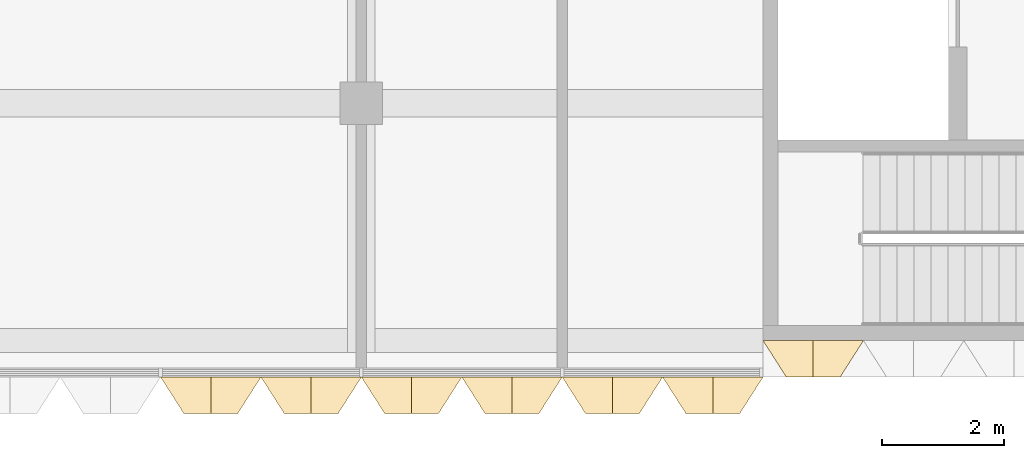
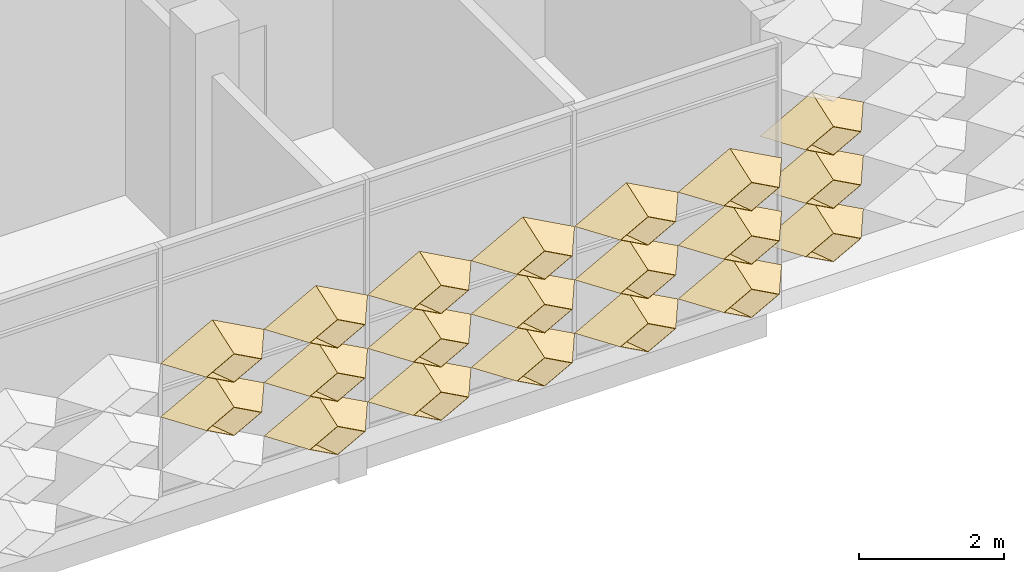
# One storey, part 38 of 61: 20 coverings.
"""IFC4 building model written with IfcOpenShell, lengths in metres."""

from ifc_helpers import new_model, entity, si_unit, direction, frame, origin, place, context, subcontext, project, spatial, material, layer, layer_set, type_object, element, save


model = new_model("IFC4")

# Units and contexts
model_context = context("Model", 3, precision=1e-05, world=origin(), true_north=direction((0.0, 1.0)))
body_context = subcontext(model_context, "Body", "Model", "MODEL_VIEW")
ifc_project = project(units=[si_unit("LENGTHUNIT", "METRE"), si_unit("AREAUNIT", "SQUARE_METRE"), si_unit("VOLUMEUNIT", "CUBIC_METRE"), si_unit("PLANEANGLEUNIT", "RADIAN"), si_unit("MASSUNIT", "GRAM", prefix="KILO")], contexts=[model_context])

# Site, building, storey
site_placement = place(None, origin())
site = spatial("IfcSite", under=ifc_project, at=site_placement, CompositionType="ELEMENT")
building_placement = place(site_placement, origin())
building = spatial("IfcBuilding", under=site, at=building_placement, Name="Lantern Court Research Institute", CompositionType="ELEMENT")
storey_placement = place(building_placement, frame((0.0, 0.0, 23.39990234375)))
storey = spatial("IfcBuildingStorey", under=building, at=storey_placement, Name="L05", CompositionType="ELEMENT", Elevation=23.39990234375)

# Coverings
ifc_material = material(Name="Anodised aluminium", Category="aluminium")
ifc_layer = layer(ifc_material, 0.01611328125)
ifc_layer_set = layer_set([ifc_layer], Name="Anodised aluminium")
covering_type = type_object("IfcCoveringType", Name="Fin cassette 1650 x 900 x 600 aluminium", PredefinedType="CLADDING", material=ifc_layer_set)
covering_1_placement = place(storey_placement, frame((45.375, -8.39990234375, 0.4501953125), z_axis=(0.0, -1.0, 0.0), x_axis=(1.0, 0.0, 0.0)))
cartesian_point_1 = entity("IfcCartesianPoint", [0.824951171875, 0.0])
cartesian_point_2 = entity("IfcCartesianPoint", [0.79150390625, 0.0])
cartesian_point_3 = entity("IfcCartesianPoint", [0.44189453125, 0.0])
cartesian_point_4 = entity("IfcCartesianPoint", [0.43359375, 0.0])
element("IfcCovering", 1, at=covering_1_placement, inside=storey, type_object=covering_type, Name="Fin cassette V4S-L05 1.28", PredefinedType="CLADDING", context=body_context, shape_type="SweptSolid", body=[
    entity("IfcExtrudedAreaSolidTapered", entity("IfcArbitraryProfileDefWithVoids", "AREA", None, entity("IfcPolyline", [cartesian_point_1, entity("IfcCartesianPoint", [0.0, 0.449951171875]), entity("IfcCartesianPoint", [-0.824951171875, 0.0]), entity("IfcCartesianPoint", [0.0, -0.449951171875]), cartesian_point_1]), [entity("IfcPolyline", [cartesian_point_2, entity("IfcCartesianPoint", [0.0, 0.431884765625]), entity("IfcCartesianPoint", [-0.79150390625, 0.0]), entity("IfcCartesianPoint", [0.0, -0.431884765625]), cartesian_point_2])]), entity("IfcAxis2Placement3D", entity("IfcCartesianPoint", [0.0, 0.0, 0.0])), entity("IfcDirection", [0.0, 0.0, 1.0]), 0.60009765625, entity("IfcArbitraryProfileDefWithVoids", "AREA", None, entity("IfcPolyline", [cartesian_point_3, entity("IfcCartesianPoint", [0.0, 0.240966796875]), entity("IfcCartesianPoint", [-0.44189453125, 0.0]), entity("IfcCartesianPoint", [0.0, -0.240966796875]), cartesian_point_3]), [entity("IfcPolyline", [cartesian_point_4, entity("IfcCartesianPoint", [0.0, 0.236572265625]), entity("IfcCartesianPoint", [-0.43359375, 0.0]), entity("IfcCartesianPoint", [0.0, -0.236572265625]), cartesian_point_4])])),
])
covering_2_placement = place(storey_placement, frame((47.02490234375, -8.39990234375, 0.4501953125), z_axis=(0.0, -1.0, 0.0), x_axis=(1.0, 0.0, 0.0)))
cartesian_point_5 = entity("IfcCartesianPoint", [0.824951171875, 0.0])
cartesian_point_6 = entity("IfcCartesianPoint", [0.79150390625, 0.0])
cartesian_point_7 = entity("IfcCartesianPoint", [0.44189453125, 0.0])
cartesian_point_8 = entity("IfcCartesianPoint", [0.43359375, 0.0])
element("IfcCovering", 2, at=covering_2_placement, inside=storey, type_object=covering_type, Name="Fin cassette V4S-L05 1.29", PredefinedType="CLADDING", context=body_context, shape_type="SweptSolid", body=[
    entity("IfcExtrudedAreaSolidTapered", entity("IfcArbitraryProfileDefWithVoids", "AREA", None, entity("IfcPolyline", [cartesian_point_5, entity("IfcCartesianPoint", [0.0, 0.449951171875]), entity("IfcCartesianPoint", [-0.824951171875, 0.0]), entity("IfcCartesianPoint", [0.0, -0.449951171875]), cartesian_point_5]), [entity("IfcPolyline", [cartesian_point_6, entity("IfcCartesianPoint", [0.0, 0.431884765625]), entity("IfcCartesianPoint", [-0.79150390625, 0.0]), entity("IfcCartesianPoint", [0.0, -0.431884765625]), cartesian_point_6])]), entity("IfcAxis2Placement3D", entity("IfcCartesianPoint", [0.0, 0.0, 0.0])), entity("IfcDirection", [0.0, 0.0, 1.0]), 0.60009765625, entity("IfcArbitraryProfileDefWithVoids", "AREA", None, entity("IfcPolyline", [cartesian_point_7, entity("IfcCartesianPoint", [0.0, 0.240966796875]), entity("IfcCartesianPoint", [-0.44189453125, 0.0]), entity("IfcCartesianPoint", [0.0, -0.240966796875]), cartesian_point_7]), [entity("IfcPolyline", [cartesian_point_8, entity("IfcCartesianPoint", [0.0, 0.236572265625]), entity("IfcCartesianPoint", [-0.43359375, 0.0]), entity("IfcCartesianPoint", [0.0, -0.236572265625]), cartesian_point_8])])),
])
covering_3_placement = place(storey_placement, frame((48.675048828125, -8.39990234375, 0.4501953125), z_axis=(0.0, -1.0, 0.0), x_axis=(1.0, 0.0, 0.0)))
cartesian_point_9 = entity("IfcCartesianPoint", [0.824951171875, 0.0])
cartesian_point_10 = entity("IfcCartesianPoint", [0.79150390625, 0.0])
cartesian_point_11 = entity("IfcCartesianPoint", [0.44189453125, 0.0])
cartesian_point_12 = entity("IfcCartesianPoint", [0.43359375, 0.0])
element("IfcCovering", 3, at=covering_3_placement, inside=storey, type_object=covering_type, Name="Fin cassette V4S-L05 1.30", PredefinedType="CLADDING", context=body_context, shape_type="SweptSolid", body=[
    entity("IfcExtrudedAreaSolidTapered", entity("IfcArbitraryProfileDefWithVoids", "AREA", None, entity("IfcPolyline", [cartesian_point_9, entity("IfcCartesianPoint", [0.0, 0.449951171875]), entity("IfcCartesianPoint", [-0.824951171875, 0.0]), entity("IfcCartesianPoint", [0.0, -0.449951171875]), cartesian_point_9]), [entity("IfcPolyline", [cartesian_point_10, entity("IfcCartesianPoint", [0.0, 0.431884765625]), entity("IfcCartesianPoint", [-0.79150390625, 0.0]), entity("IfcCartesianPoint", [0.0, -0.431884765625]), cartesian_point_10])]), entity("IfcAxis2Placement3D", entity("IfcCartesianPoint", [0.0, 0.0, 0.0])), entity("IfcDirection", [0.0, 0.0, 1.0]), 0.60009765625, entity("IfcArbitraryProfileDefWithVoids", "AREA", None, entity("IfcPolyline", [cartesian_point_11, entity("IfcCartesianPoint", [0.0, 0.240966796875]), entity("IfcCartesianPoint", [-0.44189453125, 0.0]), entity("IfcCartesianPoint", [0.0, -0.240966796875]), cartesian_point_11]), [entity("IfcPolyline", [cartesian_point_12, entity("IfcCartesianPoint", [0.0, 0.236572265625]), entity("IfcCartesianPoint", [-0.43359375, 0.0]), entity("IfcCartesianPoint", [0.0, -0.236572265625]), cartesian_point_12])])),
])
covering_4_placement = place(storey_placement, frame((50.324951171875, -8.39990234375, 0.4501953125), z_axis=(0.0, -1.0, 0.0), x_axis=(1.0, 0.0, 0.0)))
cartesian_point_13 = entity("IfcCartesianPoint", [0.824951171875, 0.0])
cartesian_point_14 = entity("IfcCartesianPoint", [0.79150390625, 0.0])
cartesian_point_15 = entity("IfcCartesianPoint", [0.44189453125, 0.0])
cartesian_point_16 = entity("IfcCartesianPoint", [0.43359375, 0.0])
element("IfcCovering", 4, at=covering_4_placement, inside=storey, type_object=covering_type, Name="Fin cassette V4S-L05 1.31", PredefinedType="CLADDING", context=body_context, shape_type="SweptSolid", body=[
    entity("IfcExtrudedAreaSolidTapered", entity("IfcArbitraryProfileDefWithVoids", "AREA", None, entity("IfcPolyline", [cartesian_point_13, entity("IfcCartesianPoint", [0.0, 0.449951171875]), entity("IfcCartesianPoint", [-0.824951171875, 0.0]), entity("IfcCartesianPoint", [0.0, -0.449951171875]), cartesian_point_13]), [entity("IfcPolyline", [cartesian_point_14, entity("IfcCartesianPoint", [0.0, 0.431884765625]), entity("IfcCartesianPoint", [-0.79150390625, 0.0]), entity("IfcCartesianPoint", [0.0, -0.431884765625]), cartesian_point_14])]), entity("IfcAxis2Placement3D", entity("IfcCartesianPoint", [0.0, 0.0, 0.0])), entity("IfcDirection", [0.0, 0.0, 1.0]), 0.60009765625, entity("IfcArbitraryProfileDefWithVoids", "AREA", None, entity("IfcPolyline", [cartesian_point_15, entity("IfcCartesianPoint", [0.0, 0.240966796875]), entity("IfcCartesianPoint", [-0.44189453125, 0.0]), entity("IfcCartesianPoint", [0.0, -0.240966796875]), cartesian_point_15]), [entity("IfcPolyline", [cartesian_point_16, entity("IfcCartesianPoint", [0.0, 0.236572265625]), entity("IfcCartesianPoint", [-0.43359375, 0.0]), entity("IfcCartesianPoint", [0.0, -0.236572265625]), cartesian_point_16])])),
])
covering_5_placement = place(storey_placement, frame((51.97509765625, -8.39990234375, 0.4501953125), z_axis=(0.0, -1.0, 0.0), x_axis=(1.0, 0.0, 0.0)))
cartesian_point_17 = entity("IfcCartesianPoint", [0.824951171875, 0.0])
cartesian_point_18 = entity("IfcCartesianPoint", [0.79150390625, 0.0])
cartesian_point_19 = entity("IfcCartesianPoint", [0.44189453125, 0.0])
cartesian_point_20 = entity("IfcCartesianPoint", [0.43359375, 0.0])
element("IfcCovering", 5, at=covering_5_placement, inside=storey, type_object=covering_type, Name="Fin cassette V4S-L05 1.32", PredefinedType="CLADDING", context=body_context, shape_type="SweptSolid", body=[
    entity("IfcExtrudedAreaSolidTapered", entity("IfcArbitraryProfileDefWithVoids", "AREA", None, entity("IfcPolyline", [cartesian_point_17, entity("IfcCartesianPoint", [0.0, 0.449951171875]), entity("IfcCartesianPoint", [-0.824951171875, 0.0]), entity("IfcCartesianPoint", [0.0, -0.449951171875]), cartesian_point_17]), [entity("IfcPolyline", [cartesian_point_18, entity("IfcCartesianPoint", [0.0, 0.431884765625]), entity("IfcCartesianPoint", [-0.79150390625, 0.0]), entity("IfcCartesianPoint", [0.0, -0.431884765625]), cartesian_point_18])]), entity("IfcAxis2Placement3D", entity("IfcCartesianPoint", [0.0, 0.0, 0.0])), entity("IfcDirection", [0.0, 0.0, 1.0]), 0.60009765625, entity("IfcArbitraryProfileDefWithVoids", "AREA", None, entity("IfcPolyline", [cartesian_point_19, entity("IfcCartesianPoint", [0.0, 0.240966796875]), entity("IfcCartesianPoint", [-0.44189453125, 0.0]), entity("IfcCartesianPoint", [0.0, -0.240966796875]), cartesian_point_19]), [entity("IfcPolyline", [cartesian_point_20, entity("IfcCartesianPoint", [0.0, 0.236572265625]), entity("IfcCartesianPoint", [-0.43359375, 0.0]), entity("IfcCartesianPoint", [0.0, -0.236572265625]), cartesian_point_20])])),
])
covering_6_placement = place(storey_placement, frame((43.72509765625, -8.39990234375, 1.35009765625), z_axis=(0.0, -1.0, 0.0), x_axis=(1.0, 0.0, 0.0)))
cartesian_point_21 = entity("IfcCartesianPoint", [0.824951171875, 0.0])
cartesian_point_22 = entity("IfcCartesianPoint", [0.79150390625, 0.0])
cartesian_point_23 = entity("IfcCartesianPoint", [0.44189453125, 0.0])
cartesian_point_24 = entity("IfcCartesianPoint", [0.43359375, 0.0])
element("IfcCovering", 6, at=covering_6_placement, inside=storey, type_object=covering_type, Name="Fin cassette V4S-L05 2.27", PredefinedType="CLADDING", context=body_context, shape_type="SweptSolid", body=[
    entity("IfcExtrudedAreaSolidTapered", entity("IfcArbitraryProfileDefWithVoids", "AREA", None, entity("IfcPolyline", [cartesian_point_21, entity("IfcCartesianPoint", [0.0, 0.449951171875]), entity("IfcCartesianPoint", [-0.824951171875, 0.0]), entity("IfcCartesianPoint", [0.0, -0.449951171875]), cartesian_point_21]), [entity("IfcPolyline", [cartesian_point_22, entity("IfcCartesianPoint", [0.0, 0.431884765625]), entity("IfcCartesianPoint", [-0.79150390625, 0.0]), entity("IfcCartesianPoint", [0.0, -0.431884765625]), cartesian_point_22])]), entity("IfcAxis2Placement3D", entity("IfcCartesianPoint", [0.0, 0.0, 0.0])), entity("IfcDirection", [0.0, 0.0, 1.0]), 0.60009765625, entity("IfcArbitraryProfileDefWithVoids", "AREA", None, entity("IfcPolyline", [cartesian_point_23, entity("IfcCartesianPoint", [0.0, 0.240966796875]), entity("IfcCartesianPoint", [-0.44189453125, 0.0]), entity("IfcCartesianPoint", [0.0, -0.240966796875]), cartesian_point_23]), [entity("IfcPolyline", [cartesian_point_24, entity("IfcCartesianPoint", [0.0, 0.236572265625]), entity("IfcCartesianPoint", [-0.43359375, 0.0]), entity("IfcCartesianPoint", [0.0, -0.236572265625]), cartesian_point_24])])),
])
covering_7_placement = place(storey_placement, frame((45.375, -8.39990234375, 1.35009765625), z_axis=(0.0, -1.0, 0.0), x_axis=(1.0, 0.0, 0.0)))
cartesian_point_25 = entity("IfcCartesianPoint", [0.824951171875, 0.0])
cartesian_point_26 = entity("IfcCartesianPoint", [0.79150390625, 0.0])
cartesian_point_27 = entity("IfcCartesianPoint", [0.44189453125, 0.0])
cartesian_point_28 = entity("IfcCartesianPoint", [0.43359375, 0.0])
element("IfcCovering", 7, at=covering_7_placement, inside=storey, type_object=covering_type, Name="Fin cassette V4S-L05 2.28", PredefinedType="CLADDING", context=body_context, shape_type="SweptSolid", body=[
    entity("IfcExtrudedAreaSolidTapered", entity("IfcArbitraryProfileDefWithVoids", "AREA", None, entity("IfcPolyline", [cartesian_point_25, entity("IfcCartesianPoint", [0.0, 0.449951171875]), entity("IfcCartesianPoint", [-0.824951171875, 0.0]), entity("IfcCartesianPoint", [0.0, -0.449951171875]), cartesian_point_25]), [entity("IfcPolyline", [cartesian_point_26, entity("IfcCartesianPoint", [0.0, 0.431884765625]), entity("IfcCartesianPoint", [-0.79150390625, 0.0]), entity("IfcCartesianPoint", [0.0, -0.431884765625]), cartesian_point_26])]), entity("IfcAxis2Placement3D", entity("IfcCartesianPoint", [0.0, 0.0, 0.0])), entity("IfcDirection", [0.0, 0.0, 1.0]), 0.60009765625, entity("IfcArbitraryProfileDefWithVoids", "AREA", None, entity("IfcPolyline", [cartesian_point_27, entity("IfcCartesianPoint", [0.0, 0.240966796875]), entity("IfcCartesianPoint", [-0.44189453125, 0.0]), entity("IfcCartesianPoint", [0.0, -0.240966796875]), cartesian_point_27]), [entity("IfcPolyline", [cartesian_point_28, entity("IfcCartesianPoint", [0.0, 0.236572265625]), entity("IfcCartesianPoint", [-0.43359375, 0.0]), entity("IfcCartesianPoint", [0.0, -0.236572265625]), cartesian_point_28])])),
])
covering_8_placement = place(storey_placement, frame((47.02490234375, -8.39990234375, 1.35009765625), z_axis=(0.0, -1.0, 0.0), x_axis=(1.0, 0.0, 0.0)))
cartesian_point_29 = entity("IfcCartesianPoint", [0.824951171875, 0.0])
cartesian_point_30 = entity("IfcCartesianPoint", [0.79150390625, 0.0])
cartesian_point_31 = entity("IfcCartesianPoint", [0.44189453125, 0.0])
cartesian_point_32 = entity("IfcCartesianPoint", [0.43359375, 0.0])
element("IfcCovering", 8, at=covering_8_placement, inside=storey, type_object=covering_type, Name="Fin cassette V4S-L05 2.29", PredefinedType="CLADDING", context=body_context, shape_type="SweptSolid", body=[
    entity("IfcExtrudedAreaSolidTapered", entity("IfcArbitraryProfileDefWithVoids", "AREA", None, entity("IfcPolyline", [cartesian_point_29, entity("IfcCartesianPoint", [0.0, 0.449951171875]), entity("IfcCartesianPoint", [-0.824951171875, 0.0]), entity("IfcCartesianPoint", [0.0, -0.449951171875]), cartesian_point_29]), [entity("IfcPolyline", [cartesian_point_30, entity("IfcCartesianPoint", [0.0, 0.431884765625]), entity("IfcCartesianPoint", [-0.79150390625, 0.0]), entity("IfcCartesianPoint", [0.0, -0.431884765625]), cartesian_point_30])]), entity("IfcAxis2Placement3D", entity("IfcCartesianPoint", [0.0, 0.0, 0.0])), entity("IfcDirection", [0.0, 0.0, 1.0]), 0.60009765625, entity("IfcArbitraryProfileDefWithVoids", "AREA", None, entity("IfcPolyline", [cartesian_point_31, entity("IfcCartesianPoint", [0.0, 0.240966796875]), entity("IfcCartesianPoint", [-0.44189453125, 0.0]), entity("IfcCartesianPoint", [0.0, -0.240966796875]), cartesian_point_31]), [entity("IfcPolyline", [cartesian_point_32, entity("IfcCartesianPoint", [0.0, 0.236572265625]), entity("IfcCartesianPoint", [-0.43359375, 0.0]), entity("IfcCartesianPoint", [0.0, -0.236572265625]), cartesian_point_32])])),
])
covering_9_placement = place(storey_placement, frame((48.675048828125, -8.39990234375, 1.35009765625), z_axis=(0.0, -1.0, 0.0), x_axis=(1.0, 0.0, 0.0)))
cartesian_point_33 = entity("IfcCartesianPoint", [0.824951171875, 0.0])
cartesian_point_34 = entity("IfcCartesianPoint", [0.79150390625, 0.0])
cartesian_point_35 = entity("IfcCartesianPoint", [0.44189453125, 0.0])
cartesian_point_36 = entity("IfcCartesianPoint", [0.43359375, 0.0])
element("IfcCovering", 9, at=covering_9_placement, inside=storey, type_object=covering_type, Name="Fin cassette V4S-L05 2.30", PredefinedType="CLADDING", context=body_context, shape_type="SweptSolid", body=[
    entity("IfcExtrudedAreaSolidTapered", entity("IfcArbitraryProfileDefWithVoids", "AREA", None, entity("IfcPolyline", [cartesian_point_33, entity("IfcCartesianPoint", [0.0, 0.449951171875]), entity("IfcCartesianPoint", [-0.824951171875, 0.0]), entity("IfcCartesianPoint", [0.0, -0.449951171875]), cartesian_point_33]), [entity("IfcPolyline", [cartesian_point_34, entity("IfcCartesianPoint", [0.0, 0.431884765625]), entity("IfcCartesianPoint", [-0.79150390625, 0.0]), entity("IfcCartesianPoint", [0.0, -0.431884765625]), cartesian_point_34])]), entity("IfcAxis2Placement3D", entity("IfcCartesianPoint", [0.0, 0.0, 0.0])), entity("IfcDirection", [0.0, 0.0, 1.0]), 0.60009765625, entity("IfcArbitraryProfileDefWithVoids", "AREA", None, entity("IfcPolyline", [cartesian_point_35, entity("IfcCartesianPoint", [0.0, 0.240966796875]), entity("IfcCartesianPoint", [-0.44189453125, 0.0]), entity("IfcCartesianPoint", [0.0, -0.240966796875]), cartesian_point_35]), [entity("IfcPolyline", [cartesian_point_36, entity("IfcCartesianPoint", [0.0, 0.236572265625]), entity("IfcCartesianPoint", [-0.43359375, 0.0]), entity("IfcCartesianPoint", [0.0, -0.236572265625]), cartesian_point_36])])),
])
covering_10_placement = place(storey_placement, frame((50.324951171875, -8.39990234375, 1.35009765625), z_axis=(0.0, -1.0, 0.0), x_axis=(1.0, 0.0, 0.0)))
cartesian_point_37 = entity("IfcCartesianPoint", [0.824951171875, 0.0])
cartesian_point_38 = entity("IfcCartesianPoint", [0.79150390625, 0.0])
cartesian_point_39 = entity("IfcCartesianPoint", [0.44189453125, 0.0])
cartesian_point_40 = entity("IfcCartesianPoint", [0.43359375, 0.0])
element("IfcCovering", 10, at=covering_10_placement, inside=storey, type_object=covering_type, Name="Fin cassette V4S-L05 2.31", PredefinedType="CLADDING", context=body_context, shape_type="SweptSolid", body=[
    entity("IfcExtrudedAreaSolidTapered", entity("IfcArbitraryProfileDefWithVoids", "AREA", None, entity("IfcPolyline", [cartesian_point_37, entity("IfcCartesianPoint", [0.0, 0.449951171875]), entity("IfcCartesianPoint", [-0.824951171875, 0.0]), entity("IfcCartesianPoint", [0.0, -0.449951171875]), cartesian_point_37]), [entity("IfcPolyline", [cartesian_point_38, entity("IfcCartesianPoint", [0.0, 0.431884765625]), entity("IfcCartesianPoint", [-0.79150390625, 0.0]), entity("IfcCartesianPoint", [0.0, -0.431884765625]), cartesian_point_38])]), entity("IfcAxis2Placement3D", entity("IfcCartesianPoint", [0.0, 0.0, 0.0])), entity("IfcDirection", [0.0, 0.0, 1.0]), 0.60009765625, entity("IfcArbitraryProfileDefWithVoids", "AREA", None, entity("IfcPolyline", [cartesian_point_39, entity("IfcCartesianPoint", [0.0, 0.240966796875]), entity("IfcCartesianPoint", [-0.44189453125, 0.0]), entity("IfcCartesianPoint", [0.0, -0.240966796875]), cartesian_point_39]), [entity("IfcPolyline", [cartesian_point_40, entity("IfcCartesianPoint", [0.0, 0.236572265625]), entity("IfcCartesianPoint", [-0.43359375, 0.0]), entity("IfcCartesianPoint", [0.0, -0.236572265625]), cartesian_point_40])])),
])
covering_11_placement = place(storey_placement, frame((51.97509765625, -8.39990234375, 1.35009765625), z_axis=(0.0, -1.0, 0.0), x_axis=(1.0, 0.0, 0.0)))
cartesian_point_41 = entity("IfcCartesianPoint", [0.824951171875, 0.0])
cartesian_point_42 = entity("IfcCartesianPoint", [0.79150390625, 0.0])
cartesian_point_43 = entity("IfcCartesianPoint", [0.44189453125, 0.0])
cartesian_point_44 = entity("IfcCartesianPoint", [0.43359375, 0.0])
element("IfcCovering", 11, at=covering_11_placement, inside=storey, type_object=covering_type, Name="Fin cassette V4S-L05 2.32", PredefinedType="CLADDING", context=body_context, shape_type="SweptSolid", body=[
    entity("IfcExtrudedAreaSolidTapered", entity("IfcArbitraryProfileDefWithVoids", "AREA", None, entity("IfcPolyline", [cartesian_point_41, entity("IfcCartesianPoint", [0.0, 0.449951171875]), entity("IfcCartesianPoint", [-0.824951171875, 0.0]), entity("IfcCartesianPoint", [0.0, -0.449951171875]), cartesian_point_41]), [entity("IfcPolyline", [cartesian_point_42, entity("IfcCartesianPoint", [0.0, 0.431884765625]), entity("IfcCartesianPoint", [-0.79150390625, 0.0]), entity("IfcCartesianPoint", [0.0, -0.431884765625]), cartesian_point_42])]), entity("IfcAxis2Placement3D", entity("IfcCartesianPoint", [0.0, 0.0, 0.0])), entity("IfcDirection", [0.0, 0.0, 1.0]), 0.60009765625, entity("IfcArbitraryProfileDefWithVoids", "AREA", None, entity("IfcPolyline", [cartesian_point_43, entity("IfcCartesianPoint", [0.0, 0.240966796875]), entity("IfcCartesianPoint", [-0.44189453125, 0.0]), entity("IfcCartesianPoint", [0.0, -0.240966796875]), cartesian_point_43]), [entity("IfcPolyline", [cartesian_point_44, entity("IfcCartesianPoint", [0.0, 0.236572265625]), entity("IfcCartesianPoint", [-0.43359375, 0.0]), entity("IfcCartesianPoint", [0.0, -0.236572265625]), cartesian_point_44])])),
])
covering_12_placement = place(storey_placement, frame((43.72509765625, -8.39990234375, 2.25), z_axis=(0.0, -1.0, 0.0), x_axis=(1.0, 0.0, 0.0)))
cartesian_point_45 = entity("IfcCartesianPoint", [0.824951171875, 0.0])
cartesian_point_46 = entity("IfcCartesianPoint", [0.79150390625, 0.0])
cartesian_point_47 = entity("IfcCartesianPoint", [0.44189453125, 0.0])
cartesian_point_48 = entity("IfcCartesianPoint", [0.43359375, 0.0])
element("IfcCovering", 12, at=covering_12_placement, inside=storey, type_object=covering_type, Name="Fin cassette V4S-L05 3.27", PredefinedType="CLADDING", context=body_context, shape_type="SweptSolid", body=[
    entity("IfcExtrudedAreaSolidTapered", entity("IfcArbitraryProfileDefWithVoids", "AREA", None, entity("IfcPolyline", [cartesian_point_45, entity("IfcCartesianPoint", [0.0, 0.449951171875]), entity("IfcCartesianPoint", [-0.824951171875, 0.0]), entity("IfcCartesianPoint", [0.0, -0.449951171875]), cartesian_point_45]), [entity("IfcPolyline", [cartesian_point_46, entity("IfcCartesianPoint", [0.0, 0.431884765625]), entity("IfcCartesianPoint", [-0.79150390625, 0.0]), entity("IfcCartesianPoint", [0.0, -0.431884765625]), cartesian_point_46])]), entity("IfcAxis2Placement3D", entity("IfcCartesianPoint", [0.0, 0.0, 0.0])), entity("IfcDirection", [0.0, 0.0, 1.0]), 0.60009765625, entity("IfcArbitraryProfileDefWithVoids", "AREA", None, entity("IfcPolyline", [cartesian_point_47, entity("IfcCartesianPoint", [0.0, 0.240966796875]), entity("IfcCartesianPoint", [-0.44189453125, 0.0]), entity("IfcCartesianPoint", [0.0, -0.240966796875]), cartesian_point_47]), [entity("IfcPolyline", [cartesian_point_48, entity("IfcCartesianPoint", [0.0, 0.236572265625]), entity("IfcCartesianPoint", [-0.43359375, 0.0]), entity("IfcCartesianPoint", [0.0, -0.236572265625]), cartesian_point_48])])),
])
covering_13_placement = place(storey_placement, frame((45.375, -8.39990234375, 2.25), z_axis=(0.0, -1.0, 0.0), x_axis=(1.0, 0.0, 0.0)))
cartesian_point_49 = entity("IfcCartesianPoint", [0.824951171875, 0.0])
cartesian_point_50 = entity("IfcCartesianPoint", [0.79150390625, 0.0])
cartesian_point_51 = entity("IfcCartesianPoint", [0.44189453125, 0.0])
cartesian_point_52 = entity("IfcCartesianPoint", [0.43359375, 0.0])
element("IfcCovering", 13, at=covering_13_placement, inside=storey, type_object=covering_type, Name="Fin cassette V4S-L05 3.28", PredefinedType="CLADDING", context=body_context, shape_type="SweptSolid", body=[
    entity("IfcExtrudedAreaSolidTapered", entity("IfcArbitraryProfileDefWithVoids", "AREA", None, entity("IfcPolyline", [cartesian_point_49, entity("IfcCartesianPoint", [0.0, 0.449951171875]), entity("IfcCartesianPoint", [-0.824951171875, 0.0]), entity("IfcCartesianPoint", [0.0, -0.449951171875]), cartesian_point_49]), [entity("IfcPolyline", [cartesian_point_50, entity("IfcCartesianPoint", [0.0, 0.431884765625]), entity("IfcCartesianPoint", [-0.79150390625, 0.0]), entity("IfcCartesianPoint", [0.0, -0.431884765625]), cartesian_point_50])]), entity("IfcAxis2Placement3D", entity("IfcCartesianPoint", [0.0, 0.0, 0.0])), entity("IfcDirection", [0.0, 0.0, 1.0]), 0.60009765625, entity("IfcArbitraryProfileDefWithVoids", "AREA", None, entity("IfcPolyline", [cartesian_point_51, entity("IfcCartesianPoint", [0.0, 0.240966796875]), entity("IfcCartesianPoint", [-0.44189453125, 0.0]), entity("IfcCartesianPoint", [0.0, -0.240966796875]), cartesian_point_51]), [entity("IfcPolyline", [cartesian_point_52, entity("IfcCartesianPoint", [0.0, 0.236572265625]), entity("IfcCartesianPoint", [-0.43359375, 0.0]), entity("IfcCartesianPoint", [0.0, -0.236572265625]), cartesian_point_52])])),
])
covering_14_placement = place(storey_placement, frame((47.02490234375, -8.39990234375, 2.25), z_axis=(0.0, -1.0, 0.0), x_axis=(1.0, 0.0, 0.0)))
cartesian_point_53 = entity("IfcCartesianPoint", [0.824951171875, 0.0])
cartesian_point_54 = entity("IfcCartesianPoint", [0.79150390625, 0.0])
cartesian_point_55 = entity("IfcCartesianPoint", [0.44189453125, 0.0])
cartesian_point_56 = entity("IfcCartesianPoint", [0.43359375, 0.0])
element("IfcCovering", 14, at=covering_14_placement, inside=storey, type_object=covering_type, Name="Fin cassette V4S-L05 3.29", PredefinedType="CLADDING", context=body_context, shape_type="SweptSolid", body=[
    entity("IfcExtrudedAreaSolidTapered", entity("IfcArbitraryProfileDefWithVoids", "AREA", None, entity("IfcPolyline", [cartesian_point_53, entity("IfcCartesianPoint", [0.0, 0.449951171875]), entity("IfcCartesianPoint", [-0.824951171875, 0.0]), entity("IfcCartesianPoint", [0.0, -0.449951171875]), cartesian_point_53]), [entity("IfcPolyline", [cartesian_point_54, entity("IfcCartesianPoint", [0.0, 0.431884765625]), entity("IfcCartesianPoint", [-0.79150390625, 0.0]), entity("IfcCartesianPoint", [0.0, -0.431884765625]), cartesian_point_54])]), entity("IfcAxis2Placement3D", entity("IfcCartesianPoint", [0.0, 0.0, 0.0])), entity("IfcDirection", [0.0, 0.0, 1.0]), 0.60009765625, entity("IfcArbitraryProfileDefWithVoids", "AREA", None, entity("IfcPolyline", [cartesian_point_55, entity("IfcCartesianPoint", [0.0, 0.240966796875]), entity("IfcCartesianPoint", [-0.44189453125, 0.0]), entity("IfcCartesianPoint", [0.0, -0.240966796875]), cartesian_point_55]), [entity("IfcPolyline", [cartesian_point_56, entity("IfcCartesianPoint", [0.0, 0.236572265625]), entity("IfcCartesianPoint", [-0.43359375, 0.0]), entity("IfcCartesianPoint", [0.0, -0.236572265625]), cartesian_point_56])])),
])
covering_15_placement = place(storey_placement, frame((48.675048828125, -8.39990234375, 2.25), z_axis=(0.0, -1.0, 0.0), x_axis=(1.0, 0.0, 0.0)))
cartesian_point_57 = entity("IfcCartesianPoint", [0.824951171875, 0.0])
cartesian_point_58 = entity("IfcCartesianPoint", [0.79150390625, 0.0])
cartesian_point_59 = entity("IfcCartesianPoint", [0.44189453125, 0.0])
cartesian_point_60 = entity("IfcCartesianPoint", [0.43359375, 0.0])
element("IfcCovering", 15, at=covering_15_placement, inside=storey, type_object=covering_type, Name="Fin cassette V4S-L05 3.30", PredefinedType="CLADDING", context=body_context, shape_type="SweptSolid", body=[
    entity("IfcExtrudedAreaSolidTapered", entity("IfcArbitraryProfileDefWithVoids", "AREA", None, entity("IfcPolyline", [cartesian_point_57, entity("IfcCartesianPoint", [0.0, 0.449951171875]), entity("IfcCartesianPoint", [-0.824951171875, 0.0]), entity("IfcCartesianPoint", [0.0, -0.449951171875]), cartesian_point_57]), [entity("IfcPolyline", [cartesian_point_58, entity("IfcCartesianPoint", [0.0, 0.431884765625]), entity("IfcCartesianPoint", [-0.79150390625, 0.0]), entity("IfcCartesianPoint", [0.0, -0.431884765625]), cartesian_point_58])]), entity("IfcAxis2Placement3D", entity("IfcCartesianPoint", [0.0, 0.0, 0.0])), entity("IfcDirection", [0.0, 0.0, 1.0]), 0.60009765625, entity("IfcArbitraryProfileDefWithVoids", "AREA", None, entity("IfcPolyline", [cartesian_point_59, entity("IfcCartesianPoint", [0.0, 0.240966796875]), entity("IfcCartesianPoint", [-0.44189453125, 0.0]), entity("IfcCartesianPoint", [0.0, -0.240966796875]), cartesian_point_59]), [entity("IfcPolyline", [cartesian_point_60, entity("IfcCartesianPoint", [0.0, 0.236572265625]), entity("IfcCartesianPoint", [-0.43359375, 0.0]), entity("IfcCartesianPoint", [0.0, -0.236572265625]), cartesian_point_60])])),
])
covering_16_placement = place(storey_placement, frame((50.324951171875, -8.39990234375, 2.25), z_axis=(0.0, -1.0, 0.0), x_axis=(1.0, 0.0, 0.0)))
cartesian_point_61 = entity("IfcCartesianPoint", [0.824951171875, 0.0])
cartesian_point_62 = entity("IfcCartesianPoint", [0.79150390625, 0.0])
cartesian_point_63 = entity("IfcCartesianPoint", [0.44189453125, 0.0])
cartesian_point_64 = entity("IfcCartesianPoint", [0.43359375, 0.0])
element("IfcCovering", 16, at=covering_16_placement, inside=storey, type_object=covering_type, Name="Fin cassette V4S-L05 3.31", PredefinedType="CLADDING", context=body_context, shape_type="SweptSolid", body=[
    entity("IfcExtrudedAreaSolidTapered", entity("IfcArbitraryProfileDefWithVoids", "AREA", None, entity("IfcPolyline", [cartesian_point_61, entity("IfcCartesianPoint", [0.0, 0.449951171875]), entity("IfcCartesianPoint", [-0.824951171875, 0.0]), entity("IfcCartesianPoint", [0.0, -0.449951171875]), cartesian_point_61]), [entity("IfcPolyline", [cartesian_point_62, entity("IfcCartesianPoint", [0.0, 0.431884765625]), entity("IfcCartesianPoint", [-0.79150390625, 0.0]), entity("IfcCartesianPoint", [0.0, -0.431884765625]), cartesian_point_62])]), entity("IfcAxis2Placement3D", entity("IfcCartesianPoint", [0.0, 0.0, 0.0])), entity("IfcDirection", [0.0, 0.0, 1.0]), 0.60009765625, entity("IfcArbitraryProfileDefWithVoids", "AREA", None, entity("IfcPolyline", [cartesian_point_63, entity("IfcCartesianPoint", [0.0, 0.240966796875]), entity("IfcCartesianPoint", [-0.44189453125, 0.0]), entity("IfcCartesianPoint", [0.0, -0.240966796875]), cartesian_point_63]), [entity("IfcPolyline", [cartesian_point_64, entity("IfcCartesianPoint", [0.0, 0.236572265625]), entity("IfcCartesianPoint", [-0.43359375, 0.0]), entity("IfcCartesianPoint", [0.0, -0.236572265625]), cartesian_point_64])])),
])
covering_17_placement = place(storey_placement, frame((51.97509765625, -8.39990234375, 2.25), z_axis=(0.0, -1.0, 0.0), x_axis=(1.0, 0.0, 0.0)))
cartesian_point_65 = entity("IfcCartesianPoint", [0.824951171875, 0.0])
cartesian_point_66 = entity("IfcCartesianPoint", [0.79150390625, 0.0])
cartesian_point_67 = entity("IfcCartesianPoint", [0.44189453125, 0.0])
cartesian_point_68 = entity("IfcCartesianPoint", [0.43359375, 0.0])
element("IfcCovering", 17, at=covering_17_placement, inside=storey, type_object=covering_type, Name="Fin cassette V4S-L05 3.32", PredefinedType="CLADDING", context=body_context, shape_type="SweptSolid", body=[
    entity("IfcExtrudedAreaSolidTapered", entity("IfcArbitraryProfileDefWithVoids", "AREA", None, entity("IfcPolyline", [cartesian_point_65, entity("IfcCartesianPoint", [0.0, 0.449951171875]), entity("IfcCartesianPoint", [-0.824951171875, 0.0]), entity("IfcCartesianPoint", [0.0, -0.449951171875]), cartesian_point_65]), [entity("IfcPolyline", [cartesian_point_66, entity("IfcCartesianPoint", [0.0, 0.431884765625]), entity("IfcCartesianPoint", [-0.79150390625, 0.0]), entity("IfcCartesianPoint", [0.0, -0.431884765625]), cartesian_point_66])]), entity("IfcAxis2Placement3D", entity("IfcCartesianPoint", [0.0, 0.0, 0.0])), entity("IfcDirection", [0.0, 0.0, 1.0]), 0.60009765625, entity("IfcArbitraryProfileDefWithVoids", "AREA", None, entity("IfcPolyline", [cartesian_point_67, entity("IfcCartesianPoint", [0.0, 0.240966796875]), entity("IfcCartesianPoint", [-0.44189453125, 0.0]), entity("IfcCartesianPoint", [0.0, -0.240966796875]), cartesian_point_67]), [entity("IfcPolyline", [cartesian_point_68, entity("IfcCartesianPoint", [0.0, 0.236572265625]), entity("IfcCartesianPoint", [-0.43359375, 0.0]), entity("IfcCartesianPoint", [0.0, -0.236572265625]), cartesian_point_68])])),
])
covering_18_placement = place(storey_placement, frame((53.625, -7.800048828125, 0.4501953125), z_axis=(0.0, -1.0, 0.0), x_axis=(1.0, 0.0, 0.0)))
cartesian_point_69 = entity("IfcCartesianPoint", [0.824951171875, 0.0])
cartesian_point_70 = entity("IfcCartesianPoint", [0.79150390625, 0.0])
cartesian_point_71 = entity("IfcCartesianPoint", [0.44189453125, 0.0])
cartesian_point_72 = entity("IfcCartesianPoint", [0.43359375, 0.0])
element("IfcCovering", 18, at=covering_18_placement, inside=storey, type_object=covering_type, Name="Fin cassette V5S-L05 1.33", PredefinedType="CLADDING", context=body_context, shape_type="SweptSolid", body=[
    entity("IfcExtrudedAreaSolidTapered", entity("IfcArbitraryProfileDefWithVoids", "AREA", None, entity("IfcPolyline", [cartesian_point_69, entity("IfcCartesianPoint", [0.0, 0.449951171875]), entity("IfcCartesianPoint", [-0.824951171875, 0.0]), entity("IfcCartesianPoint", [0.0, -0.449951171875]), cartesian_point_69]), [entity("IfcPolyline", [cartesian_point_70, entity("IfcCartesianPoint", [0.0, 0.431884765625]), entity("IfcCartesianPoint", [-0.79150390625, 0.0]), entity("IfcCartesianPoint", [0.0, -0.431884765625]), cartesian_point_70])]), entity("IfcAxis2Placement3D", entity("IfcCartesianPoint", [0.0, 0.0, 0.0])), entity("IfcDirection", [0.0, 0.0, 1.0]), 0.60009765625, entity("IfcArbitraryProfileDefWithVoids", "AREA", None, entity("IfcPolyline", [cartesian_point_71, entity("IfcCartesianPoint", [0.0, 0.240966796875]), entity("IfcCartesianPoint", [-0.44189453125, 0.0]), entity("IfcCartesianPoint", [0.0, -0.240966796875]), cartesian_point_71]), [entity("IfcPolyline", [cartesian_point_72, entity("IfcCartesianPoint", [0.0, 0.236572265625]), entity("IfcCartesianPoint", [-0.43359375, 0.0]), entity("IfcCartesianPoint", [0.0, -0.236572265625]), cartesian_point_72])])),
])
covering_19_placement = place(storey_placement, frame((53.625, -7.800048828125, 1.35009765625), z_axis=(0.0, -1.0, 0.0), x_axis=(1.0, 0.0, 0.0)))
cartesian_point_73 = entity("IfcCartesianPoint", [0.824951171875, 0.0])
cartesian_point_74 = entity("IfcCartesianPoint", [0.79150390625, 0.0])
cartesian_point_75 = entity("IfcCartesianPoint", [0.44189453125, 0.0])
cartesian_point_76 = entity("IfcCartesianPoint", [0.43359375, 0.0])
element("IfcCovering", 19, at=covering_19_placement, inside=storey, type_object=covering_type, Name="Fin cassette V5S-L05 2.33", PredefinedType="CLADDING", context=body_context, shape_type="SweptSolid", body=[
    entity("IfcExtrudedAreaSolidTapered", entity("IfcArbitraryProfileDefWithVoids", "AREA", None, entity("IfcPolyline", [cartesian_point_73, entity("IfcCartesianPoint", [0.0, 0.449951171875]), entity("IfcCartesianPoint", [-0.824951171875, 0.0]), entity("IfcCartesianPoint", [0.0, -0.449951171875]), cartesian_point_73]), [entity("IfcPolyline", [cartesian_point_74, entity("IfcCartesianPoint", [0.0, 0.431884765625]), entity("IfcCartesianPoint", [-0.79150390625, 0.0]), entity("IfcCartesianPoint", [0.0, -0.431884765625]), cartesian_point_74])]), entity("IfcAxis2Placement3D", entity("IfcCartesianPoint", [0.0, 0.0, 0.0])), entity("IfcDirection", [0.0, 0.0, 1.0]), 0.60009765625, entity("IfcArbitraryProfileDefWithVoids", "AREA", None, entity("IfcPolyline", [cartesian_point_75, entity("IfcCartesianPoint", [0.0, 0.240966796875]), entity("IfcCartesianPoint", [-0.44189453125, 0.0]), entity("IfcCartesianPoint", [0.0, -0.240966796875]), cartesian_point_75]), [entity("IfcPolyline", [cartesian_point_76, entity("IfcCartesianPoint", [0.0, 0.236572265625]), entity("IfcCartesianPoint", [-0.43359375, 0.0]), entity("IfcCartesianPoint", [0.0, -0.236572265625]), cartesian_point_76])])),
])
covering_20_placement = place(storey_placement, frame((53.625, -7.800048828125, 2.25), z_axis=(0.0, -1.0, 0.0), x_axis=(1.0, 0.0, 0.0)))
cartesian_point_77 = entity("IfcCartesianPoint", [0.824951171875, 0.0])
cartesian_point_78 = entity("IfcCartesianPoint", [0.79150390625, 0.0])
cartesian_point_79 = entity("IfcCartesianPoint", [0.44189453125, 0.0])
cartesian_point_80 = entity("IfcCartesianPoint", [0.43359375, 0.0])
element("IfcCovering", 20, at=covering_20_placement, inside=storey, type_object=covering_type, Name="Fin cassette V5S-L05 3.33", PredefinedType="CLADDING", context=body_context, shape_type="SweptSolid", body=[
    entity("IfcExtrudedAreaSolidTapered", entity("IfcArbitraryProfileDefWithVoids", "AREA", None, entity("IfcPolyline", [cartesian_point_77, entity("IfcCartesianPoint", [0.0, 0.449951171875]), entity("IfcCartesianPoint", [-0.824951171875, 0.0]), entity("IfcCartesianPoint", [0.0, -0.449951171875]), cartesian_point_77]), [entity("IfcPolyline", [cartesian_point_78, entity("IfcCartesianPoint", [0.0, 0.431884765625]), entity("IfcCartesianPoint", [-0.79150390625, 0.0]), entity("IfcCartesianPoint", [0.0, -0.431884765625]), cartesian_point_78])]), entity("IfcAxis2Placement3D", entity("IfcCartesianPoint", [0.0, 0.0, 0.0])), entity("IfcDirection", [0.0, 0.0, 1.0]), 0.60009765625, entity("IfcArbitraryProfileDefWithVoids", "AREA", None, entity("IfcPolyline", [cartesian_point_79, entity("IfcCartesianPoint", [0.0, 0.240966796875]), entity("IfcCartesianPoint", [-0.44189453125, 0.0]), entity("IfcCartesianPoint", [0.0, -0.240966796875]), cartesian_point_79]), [entity("IfcPolyline", [cartesian_point_80, entity("IfcCartesianPoint", [0.0, 0.236572265625]), entity("IfcCartesianPoint", [-0.43359375, 0.0]), entity("IfcCartesianPoint", [0.0, -0.236572265625]), cartesian_point_80])])),
])

save(model, "model.ifc")
